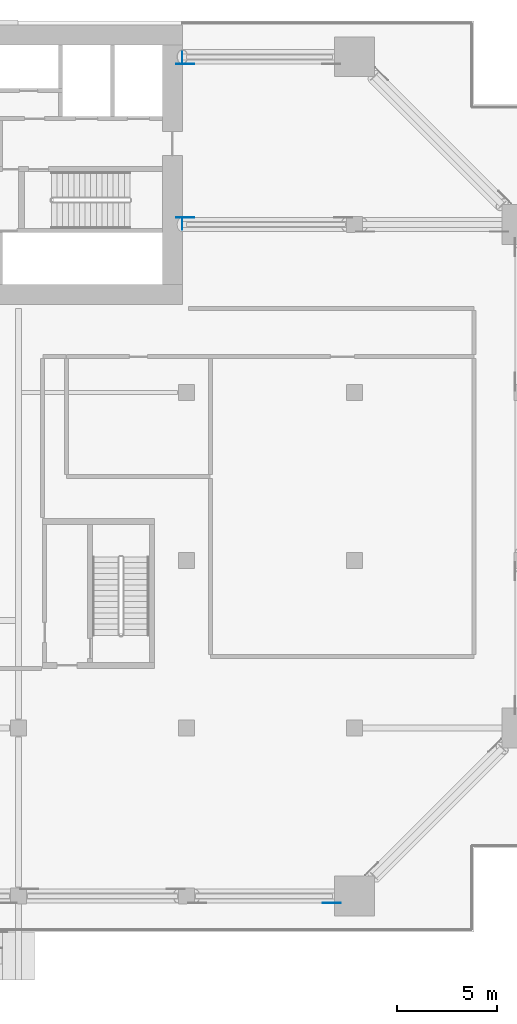
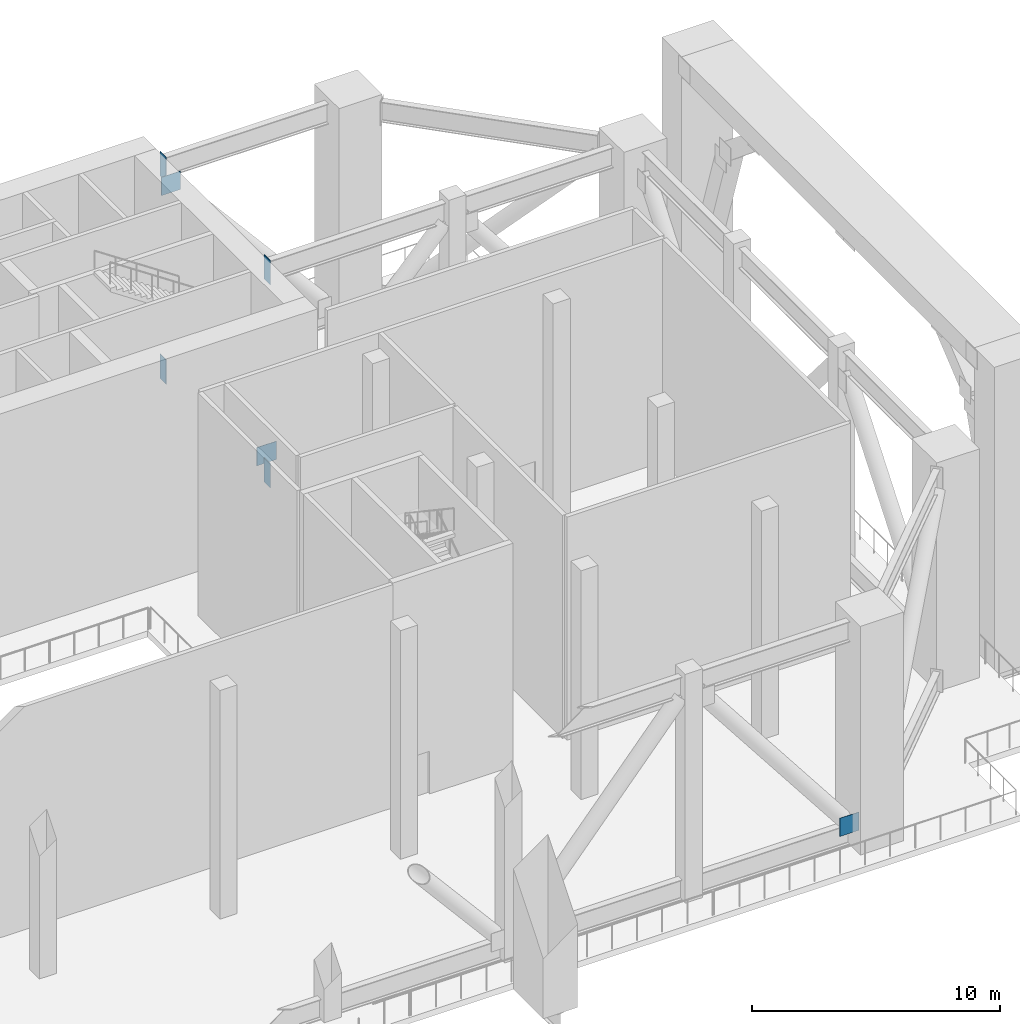
# One storey, part 13 of 19: 7 discrete accessories.
"""IFC4 building model written with IfcOpenShell, lengths in metres."""

from ifc_helpers import new_model, si_unit, direction, frame, origin, origin_2d, place, context, subcontext, project, spatial, rectangle, extrude, element, save


model = new_model("IFC4")

# Units and contexts
model_context = context("Model", 3, precision=1e-05, world=origin(), true_north=direction((0.0, 1.0)))
body_context = subcontext(model_context, "Body", "Model", "MODEL_VIEW")
ifc_project = project(units=[si_unit("LENGTHUNIT", "METRE"), si_unit("AREAUNIT", "SQUARE_METRE"), si_unit("VOLUMEUNIT", "CUBIC_METRE"), si_unit("PLANEANGLEUNIT", "RADIAN"), si_unit("MASSUNIT", "GRAM", prefix="KILO")], contexts=[model_context])

# Site, building, storey
site_placement = place(None, origin())
site = spatial("IfcSite", under=ifc_project, at=site_placement, CompositionType="ELEMENT")
building_placement = place(site_placement, origin())
building = spatial("IfcBuilding", under=site, at=building_placement, Name="Saffron Gate Tower", CompositionType="ELEMENT")
storey_placement = place(building_placement, frame((0.0, 0.0, 84.0)))
storey = spatial("IfcBuildingStorey", under=building, at=storey_placement, Name="L20", CompositionType="ELEMENT", Elevation=84.0)

# Discrete accessories
for number, where, z_axis, x_axis, name in (
    (1, (115.861572265625, 31.444580078125, 0.7275390625), (0.0, 0.0, 1.0), (-1.0, 0.0, 0.0), "GUSSET PLATE"),
    (2, (108.5517578125, 65.755615234375, 0.716064453125), (0.0, 0.0, 1.0), (1.0, 0.0, 0.0), "GUSSET PLATE"),
    (3, (108.54541015625, 73.444580078125, 9.348388671875), (0.0, 0.0, 1.0), (-1.0, 0.0, 0.0), "GUSSET PLATE"),
):
    element("IfcDiscreteAccessory", number, at=place(storey_placement, frame(where, z_axis=z_axis, x_axis=x_axis)), inside=storey, Name=name, ObjectType="GUSSET PLATE", PredefinedType="USERDEFINED", context=body_context, shape_type="SweptSolid", body=[
        extrude(rectangle(XDim=0.89990234375, YDim=0.02001953125, at=origin_2d()), origin(), (0.0, 0.0, 1.0), 0.89990234375),
    ])
for number, where, z_axis, x_axis, name in (
    (4, (108.389892578125, 65.39990234375, 9.8701171875), (0.0, 0.0, 1.0), (-1.0, 0.0, 0.0), "OUTRIGGER CAST-IN PLATE"),
    (5, (108.389892578125, 65.39990234375, -0.10009765625), (0.0, 0.0, 1.0), (-1.0, 0.0, 0.0), "OUTRIGGER CAST-IN PLATE"),
    (6, (108.389892578125, 73.800048828125, 9.8701171875), (0.0, 0.0, 1.0), (-1.0, 0.0, 0.0), "OUTRIGGER CAST-IN PLATE"),
    (7, (108.389892578125, 73.800048828125, -0.10009765625), (0.0, 0.0, 1.0), (-1.0, 0.0, 0.0), "OUTRIGGER CAST-IN PLATE"),
):
    element("IfcDiscreteAccessory", number, at=place(storey_placement, frame(where, z_axis=z_axis, x_axis=x_axis)), inside=storey, Name=name, ObjectType="OUTRIGGER CAST-IN PLATE", PredefinedType="USERDEFINED", context=body_context, shape_type="SweptSolid", body=[
        extrude(rectangle(XDim=0.02001953125, YDim=0.5, at=origin_2d()), origin(), (0.0, 0.0, 1.0), 1.199951171875),
    ])

save(model, "model.ifc")
